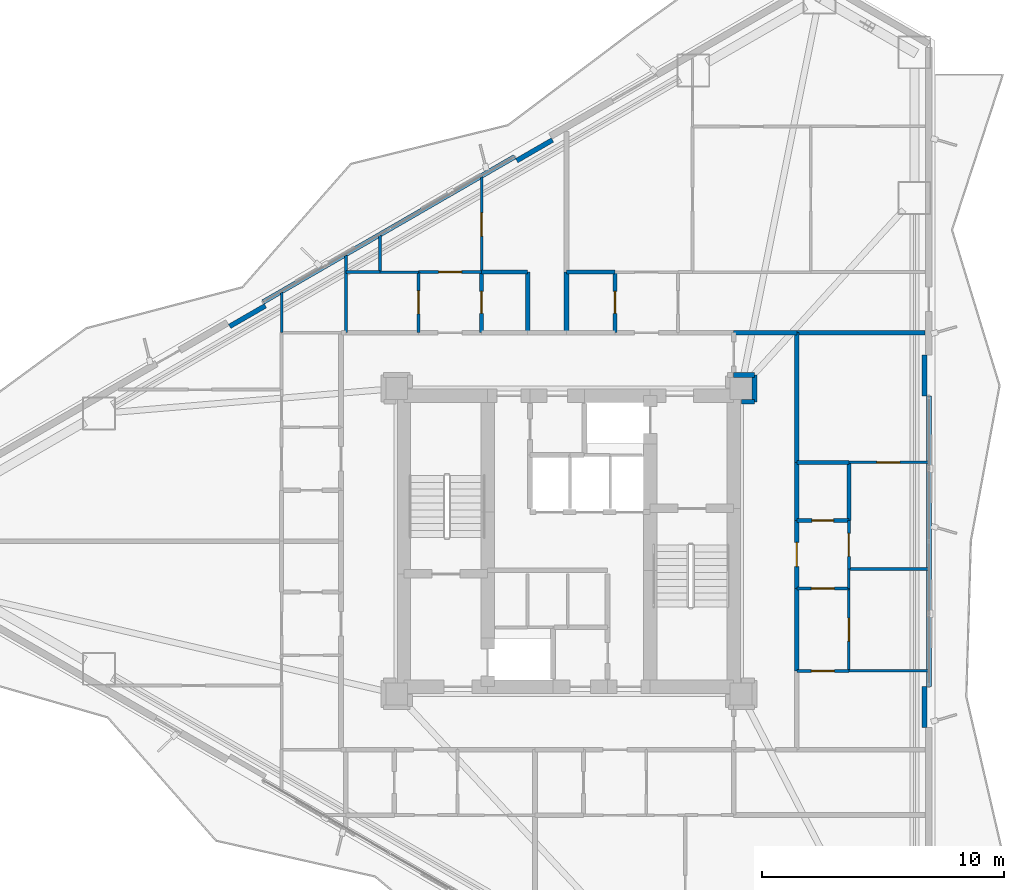
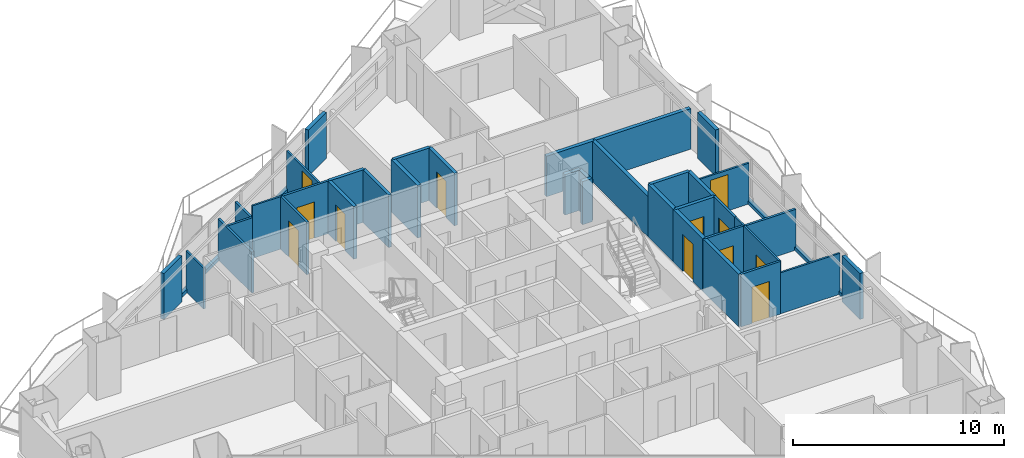
# One storey, part 15 of 18: 40 walls, 12 doors, 12 openings.
"""IFC4 building model written with IfcOpenShell, lengths in metres."""

from ifc_helpers import new_model, si_unit, direction, frame, frame_2d, origin, place, context, subcontext, project, spatial, rectangle, extrude, material, layer, layer_set, type_object, element, fill, save


model = new_model("IFC4")

# Units and contexts
model_context = context("Model", 3, precision=1e-05, world=origin(), true_north=direction((0.0, 1.0)))
body_context = subcontext(model_context, "Body", "Model", "MODEL_VIEW")
ifc_project = project(units=[si_unit("LENGTHUNIT", "METRE"), si_unit("AREAUNIT", "SQUARE_METRE"), si_unit("VOLUMEUNIT", "CUBIC_METRE"), si_unit("PLANEANGLEUNIT", "RADIAN"), si_unit("MASSUNIT", "GRAM", prefix="KILO")], contexts=[model_context])

# Site, building, storey
site_placement = place(None, origin())
site = spatial("IfcSite", under=ifc_project, at=site_placement, CompositionType="ELEMENT")
building_placement = place(site_placement, origin())
building = spatial("IfcBuilding", under=site, at=building_placement, Name="Mersakhor Tower and Convention Hall", CompositionType="ELEMENT")
storey_placement = place(building_placement, frame((0.0, 0.0, 32.39990234375)))
storey = spatial("IfcBuildingStorey", under=building, at=storey_placement, Name="L08", CompositionType="ELEMENT", Elevation=32.39990234375)

# Walls
ifc_material_1 = material(Name="Precast concrete C40/50", Category="concrete")
ifc_layer_1 = layer(ifc_material_1, 0.199951171875)
ifc_layer_set_1 = layer_set([ifc_layer_1], Name="Precast concrete C40/50")
wall_type_1 = type_object("IfcWallType", Name="WL-PAR-200", PredefinedType="PARAPET", material=ifc_layer_set_1)
wall_1_placement = place(storey_placement, frame((16.390380859375, 36.6171875, 0.0), z_axis=(0.0, 0.0, 1.0), x_axis=(0.866027351828, 0.499996625875, 0.0)))
element("IfcWall", 1, at=wall_1_placement, inside=storey, type_object=wall_type_1, Name="L08 Curtain Wall Upstand Sill F1-B2", PredefinedType="PARAPET", context=body_context, shape_type="SweptSolid", body=[
    extrude(rectangle(XDim=11.97314453125, YDim=0.199951171875, at=frame_2d((5.986572265625, 0.0))), origin(), (0.0, 0.0, 1.0), 0.2001953125),
])
for number, where, z_axis, x_axis, name in (
    (2, (15.00830078125, 35.611328125, 0.0), (0.0, 0.0, 1.0), (0.86605165483, 0.499954529098, 0.0), "L08 Column Pier Cladding Wall F1-C1"),
    (3, (26.849609375, 42.447998046875, 0.0), (0.0, 0.0, 1.0), (0.86605165483, 0.499954529098, 0.0), "L08 Column Pier Cladding Wall F1-C2"),
):
    element("IfcWall", number, at=place(storey_placement, frame(where, z_axis=z_axis, x_axis=x_axis)), inside=storey, type_object=wall_type_1, Name=name, PredefinedType="PARAPET", context=body_context, shape_type="SweptSolid", body=[
        extrude(rectangle(XDim=1.699951171875, YDim=0.199951171875, at=frame_2d((0.85009765625, 0.0))), origin(), (0.0, 0.0, 1.0), 2.66015625),
    ])
wall_2_placement = place(storey_placement, frame((43.85009765625, 32.736572265625, 0.0), z_axis=(0.0, 0.0, 1.0), x_axis=(0.0, -1.0, 0.0)))
element("IfcWall", 4, at=wall_2_placement, inside=storey, type_object=wall_type_1, Name="L08 Curtain Wall Upstand Sill F2-B2", PredefinedType="PARAPET", context=body_context, shape_type="SweptSolid", body=[
    extrude(rectangle(XDim=11.97314453125, YDim=0.199951171875, at=frame_2d((5.986572265625, 0.0))), origin(), (0.0, 0.0, 1.0), 0.2001953125),
])
for number, where, z_axis, x_axis, name in (
    (5, (43.669921875, 34.4365234375, 0.0), (0.0, 0.0, 1.0), (0.0, -1.0, 0.0), "L08 Column Pier Cladding Wall F2-C1"),
    (6, (43.669921875, 20.763427734375, 0.0), (0.0, 0.0, 1.0), (0.0, -1.0, 0.0), "L08 Column Pier Cladding Wall F2-C2"),
):
    element("IfcWall", number, at=place(storey_placement, frame(where, z_axis=z_axis, x_axis=x_axis)), inside=storey, type_object=wall_type_1, Name=name, PredefinedType="PARAPET", context=body_context, shape_type="SweptSolid", body=[
        extrude(rectangle(XDim=1.699951171875, YDim=0.199951171875, at=frame_2d((0.85009765625, 0.0))), origin(), (0.0, 0.0, 1.0), 2.66015625),
    ])

# Wall, opening, door
ifc_material_2 = material(Name="Moisture-resistant acoustic drywall studwork", Category="other")
ifc_layer_2 = layer(ifc_material_2, 0.175048828125)
ifc_layer_set_2 = layer_set([ifc_layer_2], Name="Moisture-resistant acoustic drywall studwork")
wall_type_2 = type_object("IfcWallType", Name="WL-PLM-175", PredefinedType="PLUMBINGWALL", material=ifc_layer_set_2)
wall_3_placement = place(storey_placement, frame((25.39990234375, 37.85009765625, 0.0), z_axis=(0.0, 0.0, 1.0), x_axis=(0.0, -1.0, 0.0)))
wall_3 = element("IfcWall", 7, at=wall_3_placement, inside=storey, type_object=wall_type_2, Name="L08 Interior Partition Wall P-068", PredefinedType="PLUMBINGWALL", context=body_context, shape_type="SweptSolid", body=[
    extrude(rectangle(XDim=2.5, YDim=0.175048828125, at=frame_2d((1.25, 0.0))), origin(), (0.0, 0.0, 1.0), 3.0400390625),
])
opening_1_placement = place(wall_3_placement, frame((0.800048828125, 0.0, 0.0)))
opening_1 = element("IfcOpeningElement", 8, at=opening_1_placement, cuts=wall_3, Name="Opening WD-01", PredefinedType="OPENING", context=body_context, shape_type="SweptSolid", body=[
    extrude(rectangle(XDim=0.89990234375, YDim=2.10009765625, at=frame_2d((0.449951171875, 1.050048828125))), frame((0.0, 0.097412109375, 0.0), z_axis=(0.0, -1.0, 0.0), x_axis=(1.0, 0.0, 0.0)), (0.0, 0.0, 1.0), 0.195068359375),
])
ifc_material_3 = material(Name="Solid-core hardwood leaf in painted steel frame", Category="steel")
door_type_1 = type_object("IfcDoorType", Name="DR-INT-WET-090x210", OperationType="NOTDEFINED", PredefinedType="DOOR", material=ifc_material_3)
door_1_placement = place(opening_1_placement, origin())
door_1 = element("IfcDoor", 9, at=door_1_placement, inside=storey, type_object=door_type_1, Name="L08 L08 Flat N1 Apartment Hall to L08 Flat N1 Bathroom Door", OperationType="SINGLE_SWING_RIGHT", OverallHeight=2.10009765625, OverallWidth=0.89990234375, PredefinedType="DOOR", context=body_context, shape_type="SweptSolid", body=[
    extrude(rectangle(XDim=0.89990234375, YDim=2.10009765625, at=frame_2d((0.449951171875, 1.050048828125))), frame((0.0, 0.02490234375, 0.0), z_axis=(0.0, -1.0, 0.0), x_axis=(1.0, 0.0, 0.0)), (0.0, 0.0, 1.0), 0.050048828125),
])
fill(opening_1, door_1)

wall_4_placement = place(storey_placement, frame((30.89990234375, 35.35009765625, 0.0), z_axis=(0.0, 0.0, 1.0), x_axis=(0.0, 1.0, 0.0)))
wall_4 = element("IfcWall", 10, at=wall_4_placement, inside=storey, type_object=wall_type_2, Name="L08 Interior Partition Wall P-072", PredefinedType="PLUMBINGWALL", context=body_context, shape_type="SweptSolid", body=[
    extrude(rectangle(XDim=2.5, YDim=0.175048828125, at=frame_2d((1.25, 0.0))), origin(), (0.0, 0.0, 1.0), 3.0400390625),
])
opening_2_placement = place(wall_4_placement, frame((0.800048828125, 0.0, 0.0)))
opening_2 = element("IfcOpeningElement", 11, at=opening_2_placement, cuts=wall_4, Name="Opening WD-01", PredefinedType="OPENING", context=body_context, shape_type="SweptSolid", body=[
    extrude(rectangle(XDim=0.89990234375, YDim=2.10009765625, at=frame_2d((0.449951171875, 1.050048828125))), frame((0.0, 0.097412109375, 0.0), z_axis=(0.0, -1.0, 0.0), x_axis=(1.0, 0.0, 0.0)), (0.0, 0.0, 1.0), 0.195068359375),
])
door_2_placement = place(opening_2_placement, origin())
door_2 = element("IfcDoor", 12, at=door_2_placement, inside=storey, type_object=door_type_1, Name="L08 L08 Flat N2 Apartment Hall to L08 Flat N2 Bathroom Door", OperationType="SINGLE_SWING_LEFT", OverallHeight=2.10009765625, OverallWidth=0.89990234375, PredefinedType="DOOR", context=body_context, shape_type="SweptSolid", body=[
    extrude(rectangle(XDim=0.89990234375, YDim=2.10009765625, at=frame_2d((0.449951171875, 1.050048828125))), frame((0.0, 0.02490234375, 0.0), z_axis=(0.0, -1.0, 0.0), x_axis=(1.0, 0.0, 0.0)), (0.0, 0.0, 1.0), 0.050048828125),
])
fill(opening_2, door_2)

wall_5_placement = place(storey_placement, frame((38.39990234375, 27.60009765625, 0.0), z_axis=(0.0, 0.0, 1.0), x_axis=(1.0, 0.0, 0.0)))
wall_5 = element("IfcWall", 13, at=wall_5_placement, inside=storey, type_object=wall_type_2, Name="L08 Interior Partition Wall P-088", PredefinedType="PLUMBINGWALL", context=body_context, shape_type="SweptSolid", body=[
    extrude(rectangle(XDim=2.150146484375, YDim=0.175048828125, at=frame_2d((1.0751953125, 0.0))), origin(), (0.0, 0.0, 1.0), 3.0400390625),
])
opening_3_placement = place(wall_5_placement, frame((0.625, 0.0, 0.0)))
opening_3 = element("IfcOpeningElement", 14, at=opening_3_placement, cuts=wall_5, Name="Opening WD-01", PredefinedType="OPENING", context=body_context, shape_type="SweptSolid", body=[
    extrude(rectangle(XDim=0.89990234375, YDim=2.10009765625, at=frame_2d((0.449951171875, 1.050048828125))), frame((0.0, 0.097412109375, 0.0), z_axis=(0.0, -1.0, 0.0), x_axis=(1.0, 0.0, 0.0)), (0.0, 0.0, 1.0), 0.195068359375),
])
door_3_placement = place(opening_3_placement, origin())
door_3 = element("IfcDoor", 15, at=door_3_placement, inside=storey, type_object=door_type_1, Name="L08 L08 Flat E7 Apartment Hall to L08 Flat E7 Bathroom Door", OperationType="SINGLE_SWING_RIGHT", OverallHeight=2.10009765625, OverallWidth=0.89990234375, PredefinedType="DOOR", context=body_context, shape_type="SweptSolid", body=[
    extrude(rectangle(XDim=0.89990234375, YDim=2.10009765625, at=frame_2d((0.449951171875, 1.050048828125))), frame((0.0, 0.02490234375, 0.0), z_axis=(0.0, -1.0, 0.0), x_axis=(1.0, 0.0, 0.0)), (0.0, 0.0, 1.0), 0.050048828125),
])
fill(opening_3, door_3)

# Walls
wall_6_placement = place(storey_placement, frame((25.39990234375, 37.85009765625, 0.0), z_axis=(0.0, 0.0, 1.0), x_axis=(1.0, 0.0, 0.0)))
element("IfcWall", 16, at=wall_6_placement, inside=storey, type_object=wall_type_2, Name="L08 Interior Partition Wall P-089", PredefinedType="PLUMBINGWALL", context=body_context, shape_type="SweptSolid", body=[
    extrude(rectangle(XDim=1.900146484375, YDim=0.175048828125, at=frame_2d((0.9501953125, 0.0))), origin(), (0.0, 0.0, 1.0), 3.0400390625),
])
wall_7_placement = place(storey_placement, frame((27.300048828125, 37.85009765625, 0.0), z_axis=(0.0, 0.0, 1.0), x_axis=(0.0, -1.0, 0.0)))
element("IfcWall", 17, at=wall_7_placement, inside=storey, type_object=wall_type_2, Name="L08 Interior Partition Wall P-090", PredefinedType="PLUMBINGWALL", context=body_context, shape_type="SweptSolid", body=[
    extrude(rectangle(XDim=2.5, YDim=0.175048828125, at=frame_2d((1.25, 0.0))), origin(), (0.0, 0.0, 1.0), 3.0400390625),
])
wall_8_placement = place(storey_placement, frame((28.89990234375, 37.85009765625, 0.0), z_axis=(0.0, 0.0, 1.0), x_axis=(1.0, 0.0, 0.0)))
element("IfcWall", 18, at=wall_8_placement, inside=storey, type_object=wall_type_2, Name="L08 Interior Partition Wall P-094", PredefinedType="PLUMBINGWALL", context=body_context, shape_type="SweptSolid", body=[
    extrude(rectangle(XDim=2.0, YDim=0.175048828125, at=frame_2d((1.0, 0.0))), origin(), (0.0, 0.0, 1.0), 3.0400390625),
])
wall_9_placement = place(storey_placement, frame((40.550048828125, 30.0, 0.0), z_axis=(0.0, 0.0, 1.0), x_axis=(0.0, -1.0, 0.0)))
element("IfcWall", 19, at=wall_9_placement, inside=storey, type_object=wall_type_2, Name="L08 Interior Partition Wall P-117", PredefinedType="PLUMBINGWALL", context=body_context, shape_type="SweptSolid", body=[
    extrude(rectangle(XDim=2.39990234375, YDim=0.175048828125, at=frame_2d((1.199951171875, 0.0))), origin(), (0.0, 0.0, 1.0), 3.0400390625),
])
wall_10_placement = place(storey_placement, frame((38.39990234375, 30.0, 0.0), z_axis=(0.0, 0.0, 1.0), x_axis=(1.0, 0.0, 0.0)))
element("IfcWall", 20, at=wall_10_placement, inside=storey, type_object=wall_type_2, Name="L08 Interior Partition Wall P-118", PredefinedType="PLUMBINGWALL", context=body_context, shape_type="SweptSolid", body=[
    extrude(rectangle(XDim=2.150146484375, YDim=0.175048828125, at=frame_2d((1.0751953125, 0.0))), origin(), (0.0, 0.0, 1.0), 3.0400390625),
])
ifc_material_4 = material(Name="Lightweight gypsum partition", Category="other")
ifc_layer_3 = layer(ifc_material_4, 0.10009765625)
ifc_layer_set_3 = layer_set([ifc_layer_3], Name="Lightweight gypsum partition")
wall_type_3 = type_object("IfcWallType", Name="WL-PRT-100", PredefinedType="PARTITIONING", material=ifc_layer_set_3)
wall_11_placement = place(storey_placement, frame((40.550048828125, 25.60009765625, 0.0), z_axis=(0.0, 0.0, 1.0), x_axis=(0.0, -1.0, 0.0)))
element("IfcWall", 21, at=wall_11_placement, inside=storey, type_object=wall_type_3, Name="L08 Interior Partition Wall P-086", PredefinedType="PARTITIONING", context=body_context, shape_type="SweptSolid", body=[
    extrude(rectangle(XDim=0.800048828125, YDim=0.10009765625, at=frame_2d((0.39990234375, 0.0))), origin(), (0.0, 0.0, 1.0), 3.0400390625),
])
wall_12_placement = place(storey_placement, frame((21.199951171875, 37.85009765625, 0.0), z_axis=(0.0, 0.0, 1.0), x_axis=(1.0, 0.0, 0.0)))
element("IfcWall", 22, at=wall_12_placement, inside=storey, type_object=wall_type_3, Name="L08 Interior Partition Wall P-092", PredefinedType="PARTITIONING", context=body_context, shape_type="SweptSolid", body=[
    extrude(rectangle(XDim=1.60009765625, YDim=0.10009765625, at=frame_2d((0.800048828125, 0.0))), origin(), (0.0, 0.0, 1.0), 3.0400390625),
])
wall_13_placement = place(storey_placement, frame((40.550048828125, 21.39990234375, 0.0), z_axis=(0.0, 0.0, 1.0), x_axis=(1.0, 0.0, 0.0)))
element("IfcWall", 23, at=wall_13_placement, inside=storey, type_object=wall_type_3, Name="L08 Interior Partition Wall P-120", PredefinedType="PARTITIONING", context=body_context, shape_type="SweptSolid", body=[
    extrude(rectangle(XDim=3.263916015625, YDim=0.10009765625, at=frame_2d((1.6318359375, 0.0))), origin(), (0.0, 0.0, 1.0), 2.364990234375),
])

# Wall, opening, door
wall_14_placement = place(storey_placement, frame((25.39990234375, 41.77734375, 0.0), z_axis=(0.0, 0.0, 1.0), x_axis=(0.0, -1.0, 0.0)))
wall_14 = element("IfcWall", 24, at=wall_14_placement, inside=storey, type_object=wall_type_3, Name="L08 Interior Partition Wall P-124", PredefinedType="PARTITIONING", context=body_context, shape_type="SweptSolid", body=[
    extrude(rectangle(XDim=3.92724609375, YDim=0.10009765625, at=frame_2d((1.963623046875, 0.0))), origin(), (0.0, 0.0, 1.0), 2.364990234375),
])
opening_4_placement = place(wall_14_placement, frame((1.488525390625, 0.0, 0.0)))
opening_4 = element("IfcOpeningElement", 25, at=opening_4_placement, cuts=wall_14, Name="Opening RD-01", PredefinedType="OPENING", context=body_context, shape_type="SweptSolid", body=[
    extrude(rectangle(XDim=0.949951171875, YDim=2.10009765625, at=frame_2d((0.47509765625, 1.050048828125))), frame((0.0, 0.06005859375, 0.0), z_axis=(0.0, -1.0, 0.0), x_axis=(1.0, 0.0, 0.0)), (0.0, 0.0, 1.0), 0.1201171875),
])
ifc_material_5 = material(Name="Solid-core hardwood leaf in painted steel frame", Category="steel")
door_type_2 = type_object("IfcDoorType", Name="DR-INT-RM-095x210", OperationType="NOTDEFINED", PredefinedType="DOOR", material=ifc_material_5)
door_4_placement = place(opening_4_placement, origin())
door_4 = element("IfcDoor", 26, at=door_4_placement, inside=storey, type_object=door_type_2, Name="L08 L08 Flat N1 Bedroom 2 to L08 Flat N1 Living and Dining Room Door", OperationType="SINGLE_SWING_LEFT", OverallHeight=2.10009765625, OverallWidth=0.949951171875, PredefinedType="DOOR", context=body_context, shape_type="SweptSolid", body=[
    extrude(rectangle(XDim=0.949951171875, YDim=2.10009765625, at=frame_2d((0.47509765625, 1.050048828125))), frame((0.0, 0.02490234375, 0.0), z_axis=(0.0, -1.0, 0.0), x_axis=(1.0, 0.0, 0.0)), (0.0, 0.0, 1.0), 0.050048828125),
])
fill(opening_4, door_4)

# Wall
wall_15_placement = place(storey_placement, frame((17.14990234375, 37.01416015625, 0.0), z_axis=(0.0, 0.0, 1.0), x_axis=(0.0, -1.0, 0.0)))
element("IfcWall", 27, at=wall_15_placement, inside=storey, type_object=wall_type_3, Name="L08 Interior Partition Wall P-142", PredefinedType="PARTITIONING", context=body_context, shape_type="SweptSolid", body=[
    extrude(rectangle(XDim=1.6640625, YDim=0.10009765625, at=frame_2d((0.83203125, 0.0))), origin(), (0.0, 0.0, 1.0), 2.364990234375),
])

# Wall, opening, door
wall_16_placement = place(storey_placement, frame((43.81396484375, 30.0, 0.0), z_axis=(0.0, 0.0, 1.0), x_axis=(-1.0, 0.0, 0.0)))
wall_16 = element("IfcWall", 28, at=wall_16_placement, inside=storey, type_object=wall_type_3, Name="L08 Interior Partition Wall P-146", PredefinedType="PARTITIONING", context=body_context, shape_type="SweptSolid", body=[
    extrude(rectangle(XDim=3.263916015625, YDim=0.10009765625, at=frame_2d((1.6318359375, 0.0))), origin(), (0.0, 0.0, 1.0), 2.364990234375),
])
opening_5_placement = place(wall_16_placement, frame((1.156982421875, 0.0, 0.0)))
opening_5 = element("IfcOpeningElement", 29, at=opening_5_placement, cuts=wall_16, Name="Opening RD-01", PredefinedType="OPENING", context=body_context, shape_type="SweptSolid", body=[
    extrude(rectangle(XDim=0.949951171875, YDim=2.10009765625, at=frame_2d((0.47509765625, 1.050048828125))), frame((0.0, 0.06005859375, 0.0), z_axis=(0.0, -1.0, 0.0), x_axis=(1.0, 0.0, 0.0)), (0.0, 0.0, 1.0), 0.1201171875),
])
door_5_placement = place(opening_5_placement, origin())
door_5 = element("IfcDoor", 30, at=door_5_placement, inside=storey, type_object=door_type_2, Name="L08 L08 Flat E7 Living and Dining Room to L08 Flat E7 Master Bedroom Door", OperationType="SINGLE_SWING_RIGHT", OverallHeight=2.10009765625, OverallWidth=0.949951171875, PredefinedType="DOOR", context=body_context, shape_type="SweptSolid", body=[
    extrude(rectangle(XDim=0.949951171875, YDim=2.10009765625, at=frame_2d((0.47509765625, 1.050048828125))), frame((0.0, 0.02490234375, 0.0), z_axis=(0.0, -1.0, 0.0), x_axis=(1.0, 0.0, 0.0)), (0.0, 0.0, 1.0), 0.050048828125),
])
fill(opening_5, door_5)

wall_17_placement = place(storey_placement, frame((40.550048828125, 21.39990234375, 0.0), z_axis=(0.0, 0.0, 1.0), x_axis=(0.0, 1.0, 0.0)))
wall_17 = element("IfcWall", 31, at=wall_17_placement, inside=storey, type_object=wall_type_3, Name="L08 Interior Partition Wall P-148", PredefinedType="PARTITIONING", context=body_context, shape_type="SweptSolid", body=[
    extrude(rectangle(XDim=3.400146484375, YDim=0.10009765625, at=frame_2d((1.7001953125, 0.0))), origin(), (0.0, 0.0, 1.0), 3.0400390625),
])
opening_6_placement = place(wall_17_placement, frame((1.22509765625, 0.0, 0.0)))
opening_6 = element("IfcOpeningElement", 32, at=opening_6_placement, cuts=wall_17, Name="Opening RD-01", PredefinedType="OPENING", context=body_context, shape_type="SweptSolid", body=[
    extrude(rectangle(XDim=0.949951171875, YDim=2.10009765625, at=frame_2d((0.47509765625, 1.050048828125))), frame((0.0, 0.06005859375, 0.0), z_axis=(0.0, -1.0, 0.0), x_axis=(1.0, 0.0, 0.0)), (0.0, 0.0, 1.0), 0.1201171875),
])
door_6_placement = place(opening_6_placement, origin())
door_6 = element("IfcDoor", 33, at=door_6_placement, inside=storey, type_object=door_type_2, Name="L08 L08 Flat E7 Bedroom 2 to L08 Flat E7 Dining Alcove Door", OperationType="SINGLE_SWING_LEFT", OverallHeight=2.10009765625, OverallWidth=0.949951171875, PredefinedType="DOOR", context=body_context, shape_type="SweptSolid", body=[
    extrude(rectangle(XDim=0.949951171875, YDim=2.10009765625, at=frame_2d((0.47509765625, 1.050048828125))), frame((0.0, 0.02490234375, 0.0), z_axis=(0.0, -1.0, 0.0), x_axis=(1.0, 0.0, 0.0)), (0.0, 0.0, 1.0), 0.050048828125),
])
fill(opening_6, door_6)

ifc_material_6 = material(Name="Gypsum board acoustic partition", Category="other")
ifc_layer_4 = layer(ifc_material_6, 0.125)
ifc_layer_set_4 = layer_set([ifc_layer_4], Name="Gypsum board acoustic partition")
wall_type_4 = type_object("IfcWallType", Name="WL-PRT-125", PredefinedType="PARTITIONING", material=ifc_layer_set_4)
wall_18_placement = place(storey_placement, frame((22.800048828125, 37.85009765625, 0.0), z_axis=(0.0, 0.0, 1.0), x_axis=(1.0, 0.0, 0.0)))
wall_18 = element("IfcWall", 34, at=wall_18_placement, inside=storey, type_object=wall_type_4, Name="L08 Interior Partition Wall P-067", PredefinedType="PARTITIONING", context=body_context, shape_type="SweptSolid", body=[
    extrude(rectangle(XDim=2.599853515625, YDim=0.125, at=frame_2d((1.2998046875, 0.0))), origin(), (0.0, 0.0, 1.0), 3.0400390625),
])
opening_7_placement = place(wall_18_placement, frame((0.824951171875, 0.0, 0.0)))
opening_7 = element("IfcOpeningElement", 35, at=opening_7_placement, cuts=wall_18, Name="Opening RD-01", PredefinedType="OPENING", context=body_context, shape_type="SweptSolid", body=[
    extrude(rectangle(XDim=0.949951171875, YDim=2.10009765625, at=frame_2d((0.47509765625, 1.050048828125))), frame((0.0, 0.072509765625, 0.0), z_axis=(0.0, -1.0, 0.0), x_axis=(1.0, 0.0, 0.0)), (0.0, 0.0, 1.0), 0.14501953125),
])
door_7_placement = place(opening_7_placement, origin())
door_7 = element("IfcDoor", 36, at=door_7_placement, inside=storey, type_object=door_type_2, Name="L08 L08 Flat N1 Apartment Hall to L08 Flat N1 Bedroom 2 Door", OperationType="SINGLE_SWING_RIGHT", OverallHeight=2.10009765625, OverallWidth=0.949951171875, PredefinedType="DOOR", context=body_context, shape_type="SweptSolid", body=[
    extrude(rectangle(XDim=0.949951171875, YDim=2.10009765625, at=frame_2d((0.47509765625, 1.050048828125))), frame((0.0, 0.02490234375, 0.0), z_axis=(0.0, -1.0, 0.0), x_axis=(1.0, 0.0, 0.0)), (0.0, 0.0, 1.0), 0.050048828125),
])
fill(opening_7, door_7)

wall_19_placement = place(storey_placement, frame((22.800048828125, 35.35009765625, 0.0), z_axis=(0.0, 0.0, 1.0), x_axis=(0.0, 1.0, 0.0)))
wall_19 = element("IfcWall", 37, at=wall_19_placement, inside=storey, type_object=wall_type_4, Name="L08 Interior Partition Wall P-069", PredefinedType="PARTITIONING", context=body_context, shape_type="SweptSolid", body=[
    extrude(rectangle(XDim=2.5, YDim=0.125, at=frame_2d((1.25, 0.0))), origin(), (0.0, 0.0, 1.0), 3.0400390625),
])
opening_8_placement = place(wall_19_placement, frame((0.77490234375, 0.0, 0.0)))
opening_8 = element("IfcOpeningElement", 38, at=opening_8_placement, cuts=wall_19, Name="Opening RD-01", PredefinedType="OPENING", context=body_context, shape_type="SweptSolid", body=[
    extrude(rectangle(XDim=0.949951171875, YDim=2.10009765625, at=frame_2d((0.47509765625, 1.050048828125))), frame((0.0, 0.072509765625, 0.0), z_axis=(0.0, -1.0, 0.0), x_axis=(1.0, 0.0, 0.0)), (0.0, 0.0, 1.0), 0.14501953125),
])
door_8_placement = place(opening_8_placement, origin())
door_8 = element("IfcDoor", 39, at=door_8_placement, inside=storey, type_object=door_type_2, Name="L08 L08 Flat N1 Apartment Hall to L08 Flat N1 Kitchen Door", OperationType="SINGLE_SWING_LEFT", OverallHeight=2.10009765625, OverallWidth=0.949951171875, PredefinedType="DOOR", context=body_context, shape_type="SweptSolid", body=[
    extrude(rectangle(XDim=0.949951171875, YDim=2.10009765625, at=frame_2d((0.47509765625, 1.050048828125))), frame((0.0, 0.02490234375, 0.0), z_axis=(0.0, -1.0, 0.0), x_axis=(1.0, 0.0, 0.0)), (0.0, 0.0, 1.0), 0.050048828125),
])
fill(opening_8, door_8)

wall_20_placement = place(storey_placement, frame((40.550048828125, 27.60009765625, 0.0), z_axis=(0.0, 0.0, 1.0), x_axis=(0.0, -1.0, 0.0)))
wall_20 = element("IfcWall", 40, at=wall_20_placement, inside=storey, type_object=wall_type_4, Name="L08 Interior Partition Wall P-085", PredefinedType="PARTITIONING", context=body_context, shape_type="SweptSolid", body=[
    extrude(rectangle(XDim=2.0, YDim=0.125, at=frame_2d((1.0, 0.0))), origin(), (0.0, 0.0, 1.0), 3.0400390625),
])
opening_9_placement = place(wall_20_placement, frame((0.52490234375, 0.0, 0.0)))
opening_9 = element("IfcOpeningElement", 41, at=opening_9_placement, cuts=wall_20, Name="Opening RD-01", PredefinedType="OPENING", context=body_context, shape_type="SweptSolid", body=[
    extrude(rectangle(XDim=0.949951171875, YDim=2.10009765625, at=frame_2d((0.47509765625, 1.050048828125))), frame((0.0, 0.072509765625, 0.0), z_axis=(0.0, -1.0, 0.0), x_axis=(1.0, 0.0, 0.0)), (0.0, 0.0, 1.0), 0.14501953125),
])
door_9_placement = place(opening_9_placement, origin())
door_9 = element("IfcDoor", 42, at=door_9_placement, inside=storey, type_object=door_type_2, Name="L08 L08 Flat E7 Apartment Hall to L08 Flat E7 Master Bedroom Door", OperationType="SINGLE_SWING_LEFT", OverallHeight=2.10009765625, OverallWidth=0.949951171875, PredefinedType="DOOR", context=body_context, shape_type="SweptSolid", body=[
    extrude(rectangle(XDim=0.949951171875, YDim=2.10009765625, at=frame_2d((0.47509765625, 1.050048828125))), frame((0.0, 0.02490234375, 0.0), z_axis=(0.0, -1.0, 0.0), x_axis=(1.0, 0.0, 0.0)), (0.0, 0.0, 1.0), 0.050048828125),
])
fill(opening_9, door_9)

wall_21_placement = place(storey_placement, frame((40.550048828125, 24.800048828125, 0.0), z_axis=(0.0, 0.0, 1.0), x_axis=(-1.0, 0.0, 0.0)))
wall_21 = element("IfcWall", 43, at=wall_21_placement, inside=storey, type_object=wall_type_4, Name="L08 Interior Partition Wall P-087", PredefinedType="PARTITIONING", context=body_context, shape_type="SweptSolid", body=[
    extrude(rectangle(XDim=2.150146484375, YDim=0.125, at=frame_2d((1.0751953125, 0.0))), origin(), (0.0, 0.0, 1.0), 3.0400390625),
])
opening_10_placement = place(wall_21_placement, frame((0.60009765625, 0.0, 0.0)))
opening_10 = element("IfcOpeningElement", 44, at=opening_10_placement, cuts=wall_21, Name="Opening RD-01", PredefinedType="OPENING", context=body_context, shape_type="SweptSolid", body=[
    extrude(rectangle(XDim=0.949951171875, YDim=2.10009765625, at=frame_2d((0.47509765625, 1.050048828125))), frame((0.0, 0.072509765625, 0.0), z_axis=(0.0, -1.0, 0.0), x_axis=(1.0, 0.0, 0.0)), (0.0, 0.0, 1.0), 0.14501953125),
])
door_10_placement = place(opening_10_placement, origin())
door_10 = element("IfcDoor", 45, at=door_10_placement, inside=storey, type_object=door_type_2, Name="L08 L08 Flat E7 Apartment Hall to L08 Flat E7 Dining Alcove Door", OperationType="SINGLE_SWING_RIGHT", OverallHeight=2.10009765625, OverallWidth=0.949951171875, PredefinedType="DOOR", context=body_context, shape_type="SweptSolid", body=[
    extrude(rectangle(XDim=0.949951171875, YDim=2.10009765625, at=frame_2d((0.47509765625, 1.050048828125))), frame((0.0, 0.02490234375, 0.0), z_axis=(0.0, -1.0, 0.0), x_axis=(1.0, 0.0, 0.0)), (0.0, 0.0, 1.0), 0.050048828125),
])
fill(opening_10, door_10)

# Walls
wall_22_placement = place(storey_placement, frame((19.800048828125, 37.85009765625, 0.0), z_axis=(0.0, 0.0, 1.0), x_axis=(1.0, 0.0, 0.0)))
element("IfcWall", 46, at=wall_22_placement, inside=storey, type_object=wall_type_4, Name="L08 Interior Partition Wall P-091", PredefinedType="PARTITIONING", context=body_context, shape_type="SweptSolid", body=[
    extrude(rectangle(XDim=1.39990234375, YDim=0.125, at=frame_2d((0.699951171875, 0.0))), origin(), (0.0, 0.0, 1.0), 2.364990234375),
])
wall_23_placement = place(storey_placement, frame((19.800048828125, 35.35009765625, 0.0), z_axis=(0.0, 0.0, 1.0), x_axis=(0.0, 1.0, 0.0)))
element("IfcWall", 47, at=wall_23_placement, inside=storey, type_object=wall_type_4, Name="L08 Interior Partition Wall P-093", PredefinedType="PARTITIONING", context=body_context, shape_type="SweptSolid", body=[
    extrude(rectangle(XDim=3.194091796875, YDim=0.125, at=frame_2d((1.59716796875, 0.0))), origin(), (0.0, 0.0, 1.0), 2.364990234375),
])

# Wall, opening, door
wall_24_placement = place(storey_placement, frame((38.39990234375, 21.39990234375, 0.0), z_axis=(0.0, 0.0, 1.0), x_axis=(1.0, 0.0, 0.0)))
wall_24 = element("IfcWall", 48, at=wall_24_placement, inside=storey, type_object=wall_type_4, Name="L08 Interior Partition Wall P-119", PredefinedType="PARTITIONING", context=body_context, shape_type="SweptSolid", body=[
    extrude(rectangle(XDim=2.150146484375, YDim=0.125, at=frame_2d((1.0751953125, 0.0))), origin(), (0.0, 0.0, 1.0), 3.0400390625),
])
opening_11_placement = place(wall_24_placement, frame((0.60009765625, 0.0, 0.0)))
opening_11 = element("IfcOpeningElement", 49, at=opening_11_placement, cuts=wall_24, Name="Opening RD-01", PredefinedType="OPENING", context=body_context, shape_type="SweptSolid", body=[
    extrude(rectangle(XDim=0.949951171875, YDim=2.10009765625, at=frame_2d((0.47509765625, 1.050048828125))), frame((0.0, 0.072509765625, 0.0), z_axis=(0.0, -1.0, 0.0), x_axis=(1.0, 0.0, 0.0)), (0.0, 0.0, 1.0), 0.14501953125),
])
door_11_placement = place(opening_11_placement, origin())
door_11 = element("IfcDoor", 50, at=door_11_placement, inside=storey, type_object=door_type_2, Name="L08 L08 Flat E7 Kitchen to L08 Flat E7 Dining Alcove Door", OperationType="SINGLE_SWING_RIGHT", OverallHeight=2.10009765625, OverallWidth=0.949951171875, PredefinedType="DOOR", context=body_context, shape_type="SweptSolid", body=[
    extrude(rectangle(XDim=0.949951171875, YDim=2.10009765625, at=frame_2d((0.47509765625, 1.050048828125))), frame((0.0, 0.02490234375, 0.0), z_axis=(0.0, -1.0, 0.0), x_axis=(1.0, 0.0, 0.0)), (0.0, 0.0, 1.0), 0.050048828125),
])
fill(opening_11, door_11)

# Walls
wall_25_placement = place(storey_placement, frame((21.199951171875, 37.85009765625, 0.0), z_axis=(0.0, 0.0, 1.0), x_axis=(0.0, 1.0, 0.0)))
element("IfcWall", 51, at=wall_25_placement, inside=storey, type_object=wall_type_4, Name="L08 Interior Partition Wall P-123", PredefinedType="PARTITIONING", context=body_context, shape_type="SweptSolid", body=[
    extrude(rectangle(XDim=1.502197265625, YDim=0.125, at=frame_2d((0.7509765625, 0.0))), origin(), (0.0, 0.0, 1.0), 2.364990234375),
])
wall_26_placement = place(storey_placement, frame((43.81396484375, 25.60009765625, 0.0), z_axis=(0.0, 0.0, 1.0), x_axis=(-1.0, 0.0, 0.0)))
element("IfcWall", 52, at=wall_26_placement, inside=storey, type_object=wall_type_4, Name="L08 Interior Partition Wall P-147", PredefinedType="PARTITIONING", context=body_context, shape_type="SweptSolid", body=[
    extrude(rectangle(XDim=3.263916015625, YDim=0.125, at=frame_2d((1.6318359375, 0.0))), origin(), (0.0, 0.0, 1.0), 2.364990234375),
])
ifc_material_7 = material(Name="Acoustic concrete blockwork and gypsum board", Category="masonry")
ifc_layer_5 = layer(ifc_material_7, 0.199951171875)
ifc_layer_set_5 = layer_set([ifc_layer_5], Name="Acoustic concrete blockwork and gypsum board")
wall_type_5 = type_object("IfcWallType", Name="WL-PRT-200", PredefinedType="PARTITIONING", material=ifc_layer_set_5)
wall_27_placement = place(storey_placement, frame((36.125, 32.5, 0.0), z_axis=(0.0, 0.0, 1.0), x_axis=(1.0, 0.0, 0.0)))
element("IfcWall", 53, at=wall_27_placement, inside=storey, type_object=wall_type_5, Name="L08 Interior Partition Wall P-055", PredefinedType="PARTITIONING", context=body_context, shape_type="SweptSolid", body=[
    extrude(rectangle(XDim=0.52490234375, YDim=0.199951171875, at=frame_2d((0.262451171875, 0.0))), origin(), (0.0, 0.0, 1.0), 2.48828125),
])
wall_28_placement = place(storey_placement, frame((36.64990234375, 32.5, 0.0), z_axis=(0.0, 0.0, 1.0), x_axis=(0.0, 1.0, 0.0)))
element("IfcWall", 54, at=wall_28_placement, inside=storey, type_object=wall_type_5, Name="L08 Interior Partition Wall P-056", PredefinedType="PARTITIONING", context=body_context, shape_type="SweptSolid", body=[
    extrude(rectangle(XDim=1.10009765625, YDim=0.199951171875, at=frame_2d((0.550048828125, 0.0))), origin(), (0.0, 0.0, 1.0), 2.337646484375),
])
wall_29_placement = place(storey_placement, frame((36.64990234375, 33.60009765625, 0.0), z_axis=(0.0, 0.0, 1.0), x_axis=(-1.0, 0.0, 0.0)))
element("IfcWall", 55, at=wall_29_placement, inside=storey, type_object=wall_type_5, Name="L08 Interior Partition Wall P-057", PredefinedType="PARTITIONING", context=body_context, shape_type="SweptSolid", body=[
    extrude(rectangle(XDim=0.849853515625, YDim=0.199951171875, at=frame_2d((0.4248046875, 0.0))), origin(), (0.0, 0.0, 1.0), 2.337646484375),
])
wall_30_placement = place(storey_placement, frame((35.800048828125, 35.35009765625, 0.0), z_axis=(0.0, 0.0, 1.0), x_axis=(1.0, 0.0, 0.0)))
element("IfcWall", 56, at=wall_30_placement, inside=storey, type_object=wall_type_5, Name="L08 Interior Partition Wall P-058", PredefinedType="PARTITIONING", context=body_context, shape_type="SweptSolid", body=[
    extrude(rectangle(XDim=2.599853515625, YDim=0.199951171875, at=frame_2d((1.2998046875, 0.0))), origin(), (0.0, 0.0, 1.0), 2.337646484375),
])
wall_31_placement = place(storey_placement, frame((38.39990234375, 35.35009765625, 0.0), z_axis=(0.0, 0.0, 1.0), x_axis=(0.0, -1.0, 0.0)))
element("IfcWall", 57, at=wall_31_placement, inside=storey, type_object=wall_type_5, Name="L08 Interior Partition Wall P-059", PredefinedType="PARTITIONING", context=body_context, shape_type="SweptSolid", body=[
    extrude(rectangle(XDim=5.35009765625, YDim=0.199951171875, at=frame_2d((2.675048828125, 0.0))), origin(), (0.0, 0.0, 1.0), 2.337646484375),
])
wall_32_placement = place(storey_placement, frame((38.39990234375, 30.0, 0.0), z_axis=(0.0, 0.0, 1.0), x_axis=(0.0, -1.0, 0.0)))
element("IfcWall", 58, at=wall_32_placement, inside=storey, type_object=wall_type_5, Name="L08 Interior Partition Wall P-060", PredefinedType="PARTITIONING", context=body_context, shape_type="SweptSolid", body=[
    extrude(rectangle(XDim=2.39990234375, YDim=0.199951171875, at=frame_2d((1.199951171875, 0.0))), origin(), (0.0, 0.0, 1.0), 3.0400390625),
])

# Wall, opening, door
wall_33_placement = place(storey_placement, frame((38.39990234375, 27.60009765625, 0.0), z_axis=(0.0, 0.0, 1.0), x_axis=(0.0, -1.0, 0.0)))
wall_33 = element("IfcWall", 59, at=wall_33_placement, inside=storey, type_object=wall_type_5, Name="L08 Interior Partition Wall P-061", PredefinedType="PARTITIONING", context=body_context, shape_type="SweptSolid", body=[
    extrude(rectangle(XDim=2.800048828125, YDim=0.199951171875, at=frame_2d((1.39990234375, 0.0))), origin(), (0.0, 0.0, 1.0), 3.0400390625),
])
opening_12_placement = place(wall_33_placement, frame((0.89990234375, 0.0, 0.0)))
opening_12 = element("IfcOpeningElement", 60, at=opening_12_placement, cuts=wall_33, Name="Opening FD-01", PredefinedType="OPENING", context=body_context, shape_type="SweptSolid", body=[
    extrude(rectangle(XDim=1.0, YDim=2.14990234375, at=frame_2d((0.5, 1.074951171875))), frame((0.0, 0.10986328125, 0.0), z_axis=(0.0, -1.0, 0.0), x_axis=(1.0, 0.0, 0.0)), (0.0, 0.0, 1.0), 0.219970703125),
])
ifc_material_8 = material(Name="Fire-rated hardwood leaf and painted steel frame", Category="steel")
door_type_3 = type_object("IfcDoorType", Name="DR-INT-FLT-100x215", OperationType="NOTDEFINED", PredefinedType="DOOR", material=ifc_material_8)
door_12_placement = place(opening_12_placement, origin())
door_12 = element("IfcDoor", 61, at=door_12_placement, inside=storey, type_object=door_type_3, Name="L08 Apartment Entrance Door (Residential Ring East Corridor to L08 Flat E7 Apartment Hall)", OperationType="SINGLE_SWING_RIGHT", OverallHeight=2.14990234375, OverallWidth=1.0, PredefinedType="DOOR", context=body_context, shape_type="SweptSolid", body=[
    extrude(rectangle(XDim=1.0, YDim=2.14990234375, at=frame_2d((0.5, 1.074951171875))), frame((0.0, 0.02490234375, 0.0), z_axis=(0.0, -1.0, 0.0), x_axis=(1.0, 0.0, 0.0)), (0.0, 0.0, 1.0), 0.050048828125),
])
fill(opening_12, door_12)

# Walls
wall_34_placement = place(storey_placement, frame((38.39990234375, 24.800048828125, 0.0), z_axis=(0.0, 0.0, 1.0), x_axis=(0.0, -1.0, 0.0)))
element("IfcWall", 62, at=wall_34_placement, inside=storey, type_object=wall_type_5, Name="L08 Interior Partition Wall P-062", PredefinedType="PARTITIONING", context=body_context, shape_type="SweptSolid", body=[
    extrude(rectangle(XDim=3.400146484375, YDim=0.199951171875, at=frame_2d((1.7001953125, 0.0))), origin(), (0.0, 0.0, 1.0), 3.0400390625),
])
wall_35_placement = place(storey_placement, frame((28.89990234375, 35.35009765625, 0.0), z_axis=(0.0, 0.0, 1.0), x_axis=(0.0, 1.0, 0.0)))
element("IfcWall", 63, at=wall_35_placement, inside=storey, type_object=wall_type_5, Name="L08 Interior Partition Wall P-095", PredefinedType="PARTITIONING", context=body_context, shape_type="SweptSolid", body=[
    extrude(rectangle(XDim=2.5, YDim=0.199951171875, at=frame_2d((1.25, 0.0))), origin(), (0.0, 0.0, 1.0), 3.0400390625),
])
wall_36_placement = place(storey_placement, frame((43.6884765625, 35.35009765625, 0.0), z_axis=(0.0, 0.0, 1.0), x_axis=(-1.0, 0.0, 0.0)))
element("IfcWall", 64, at=wall_36_placement, inside=storey, type_object=wall_type_5, Name="L08 Interior Partition Wall P-096", PredefinedType="PARTITIONING", context=body_context, shape_type="SweptSolid", body=[
    extrude(rectangle(XDim=5.28857421875, YDim=0.199951171875, at=frame_2d((2.644287109375, 0.0))), origin(), (0.0, 0.0, 1.0), 2.337646484375),
])

save(model, "model.ifc")
